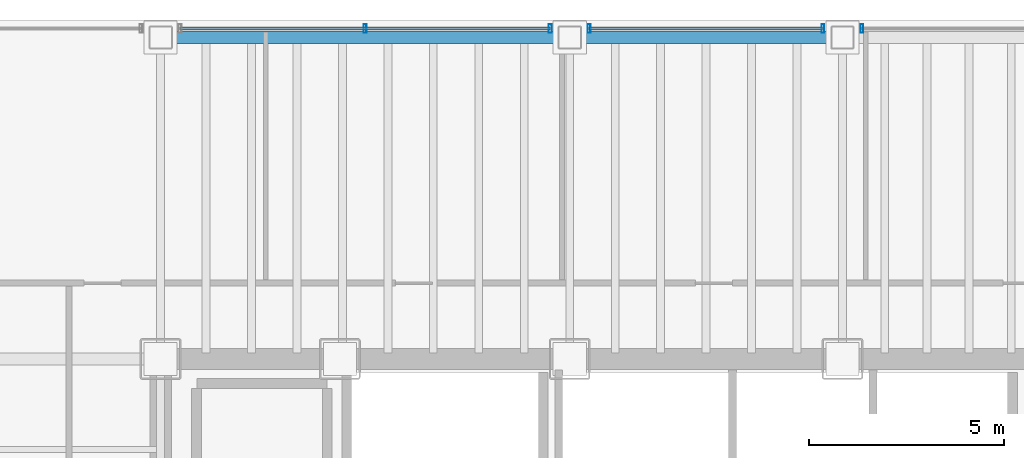
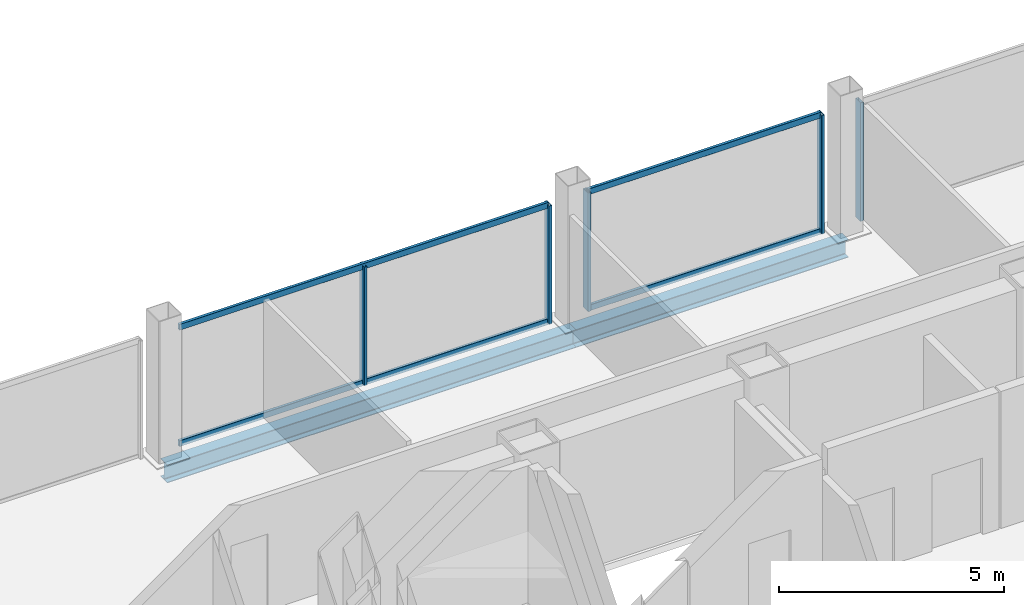
# One storey, part 15 of 21: 9 members, 2 beams, 3 elements without a shape of their own.
"""IFC4 building model written with IfcOpenShell, lengths in metres."""

import ifcopenshell
import ifcopenshell.guid

model = None  # the IFC model being written
_history = None  # IfcOwnerHistory: only IFC2X3 demands one
_inside = {}  # id of a spatial element -> (the spatial element, [elements in it])
_under = {}  # id of a project, library or spatial element -> (it, [spatial elements below it])
_declared = {}  # id of a project -> (the project, [libraries it declares])
_typed = {}  # id of a type object -> (the type object, [elements of that type])
_made_of = {}  # id of a material, layer set ... -> (it, [elements and type objects made of it])


def new_model(schema):
    """Start an empty IFC model of exactly this schema.

    Asked for "IFC4X3", IfcOpenShell would pick the latest addendum, in which some entities
    have other attributes; the version numbers below select the first issue.
    IFC2X3 requires an IfcOwnerHistory on every rooted entity: one is made here for all.
    """
    global model, _history
    if schema == "IFC4X3":
        model = ifcopenshell.file(schema_version=(4, 3, 0, 0))
    else:
        model = ifcopenshell.file(schema=schema)
    _inside.clear()
    _under.clear()
    _declared.clear()
    _typed.clear()
    _made_of.clear()
    _history = None
    if model.schema == "IFC2X3":
        org = make("IfcOrganization", Name="unknown")
        user = make(
            "IfcPersonAndOrganization",
            ThePerson=make("IfcPerson", FamilyName="unknown"),
            TheOrganization=org,
        )
        app = make(
            "IfcApplication",
            ApplicationDeveloper=org,
            Version="unknown",
            ApplicationFullName="unknown",
            ApplicationIdentifier="unknown",
        )
        _history = make(
            "IfcOwnerHistory",
            OwningUser=user,
            OwningApplication=app,
            ChangeAction="ADDED",
            CreationDate=0,
        )
    return model


def make(cls, **values):
    """One entity of the class cls with the attributes given. An attribute that is None is left unset."""
    return model.create_entity(
        cls, **{name: value for name, value in values.items() if value is not None}
    )


def rooted(cls, **values):
    """An entity with a GlobalId (a new one), such as an element, a storey or a relation."""
    return make(cls, GlobalId=ifcopenshell.guid.new(), OwnerHistory=_history, **values)


def si_unit(unit_type, name, prefix=None):
    """IfcSIUnit, for example si_unit("LENGTHUNIT", "METRE", prefix="MILLI")."""
    return make("IfcSIUnit", UnitType=unit_type, Prefix=prefix, Name=name)


def assignment(units):
    """IfcUnitAssignment: the units of a project."""
    return None if units is None else make("IfcUnitAssignment", Units=units)


def point(xyz):
    """IfcCartesianPoint."""
    return None if xyz is None else make("IfcCartesianPoint", Coordinates=xyz)


def direction(xyz):
    """IfcDirection."""
    return None if xyz is None else make("IfcDirection", DirectionRatios=xyz)


def frame(location, z_axis=None, x_axis=None):
    """IfcAxis2Placement3D, a coordinate frame: its origin and axes. An axis left out is left unset."""
    return make(
        "IfcAxis2Placement3D",
        Location=point(location),
        Axis=direction(z_axis),
        RefDirection=direction(x_axis),
    )


def frame_2d(location, x_axis=None):
    """IfcAxis2Placement2D, a coordinate frame in the plane: its origin and x axis."""
    return make(
        "IfcAxis2Placement2D", Location=point(location), RefDirection=direction(x_axis)
    )


def origin():
    """The frame at (0, 0, 0) with its axes left unset."""
    return frame((0.0, 0.0, 0.0))


def origin_2d():
    """The frame at (0, 0) in the plane with its x axis left unset."""
    return frame_2d((0.0, 0.0))


def place(relative_to, where):
    """IfcLocalPlacement: puts the frame where relative to a parent placement (None: the world)."""
    return make(
        "IfcLocalPlacement", PlacementRelTo=relative_to, RelativePlacement=where
    )


def context(
    kind, dimensions, precision=None, world=None, true_north=None, identifier=None
):
    """IfcGeometricRepresentationContext, for example the 3D "Model" context."""
    return make(
        "IfcGeometricRepresentationContext",
        ContextIdentifier=identifier,
        ContextType=kind,
        CoordinateSpaceDimension=dimensions,
        Precision=precision,
        WorldCoordinateSystem=world,
        TrueNorth=true_north,
    )


def subcontext(parent, identifier, kind, view, scale=None):
    """IfcGeometricRepresentationSubContext, for example "Body" below "Model"."""
    return make(
        "IfcGeometricRepresentationSubContext",
        ContextIdentifier=identifier,
        ContextType=kind,
        ParentContext=parent,
        TargetScale=scale,
        TargetView=view,
    )


def project(units=None, contexts=None):
    """IfcProject with its units and contexts."""
    return rooted(
        "IfcProject",
        Name="project",
        RepresentationContexts=contexts,
        UnitsInContext=assignment(units),
    )


def spatial(cls, under=None, at=None, **own):
    """A site, building, storey or space (cls), placed at a placement, below another one or the project."""
    s = rooted(cls, ObjectPlacement=at, **own)
    if under is not None:
        _under.setdefault(under.id(), (under, []))[1].append(s)
    return s


def profile(cls, at=None, kind="AREA", **sizes):
    """A parametric profile (cls). Its sizes go by their IFC names, for example OverallWidth=200.0."""
    return make(cls, ProfileType=kind, Position=at, **sizes)


def hollow_rectangle(**sizes):
    """IfcRectangleHollowProfileDef."""
    return profile("IfcRectangleHollowProfileDef", **sizes)


def i_section(**sizes):
    """IfcIShapeProfileDef."""
    return profile("IfcIShapeProfileDef", **sizes)


def extrude(swept, where, along, depth):
    """IfcExtrudedAreaSolid: the profile swept, set in the frame where, extruded along a direction by depth."""
    return make(
        "IfcExtrudedAreaSolid",
        SweptArea=swept,
        Position=where,
        ExtrudedDirection=direction(along),
        Depth=depth,
    )


def shape(context_of_items, identifier, shape_type, items):
    """IfcShapeRepresentation: the items that make up one representation, for example the "Body"."""
    return make(
        "IfcShapeRepresentation",
        ContextOfItems=context_of_items,
        RepresentationIdentifier=identifier,
        RepresentationType=shape_type,
        Items=items,
    )


def material(Name=None, Category=None):
    """IfcMaterial."""
    return make("IfcMaterial", Name=Name, Category=Category)


def material_profile(
    of_material, cross_section, Name=None, Category=None, Priority=None
):
    """IfcMaterialProfile: a cross section and its material."""
    return make(
        "IfcMaterialProfile",
        Name=Name,
        Material=of_material,
        Profile=cross_section,
        Priority=Priority,
        Category=Category,
    )


def profile_set(profiles, Name=None, composite=None):
    """IfcMaterialProfileSet."""
    return make(
        "IfcMaterialProfileSet",
        Name=Name,
        MaterialProfiles=profiles,
        CompositeProfile=composite,
    )


def made_of(thing, what):
    """Note that an element or type object is made of a material, layer set ...; save() writes the relation."""
    if what is not None:
        _made_of.setdefault(what.id(), (what, []))[1].append(thing)
    return thing


def type_object(cls, material=None, **own):
    """A type object (cls), such as IfcWallType, which elements share."""
    return made_of(rooted(cls, **own), material)


def element(
    cls,
    number,
    at=None,
    inside=None,
    cuts=None,
    type_object=None,
    material=None,
    context=None,
    identifier="Body",
    shape_type=None,
    held_by="IfcProductDefinitionShape",
    body=None,
    shapes=None,
    **own,
):
    """One element of the class cls, such as IfcWall. Its Tag is "e" and its number.

    at: its placement. inside: the storey or other place that contains it. cuts: it is an
    opening in that element (IfcRelVoidsElement). A single representation is given by context,
    identifier, shape_type and body (its items); several are given by shapes. held_by: the class
    of the entity that holds the representations. save() writes the other relations.
    """
    e = rooted(cls, Tag="e%d" % number, ObjectPlacement=at, **own)
    if body is not None:
        shapes = [shape(context, identifier, shape_type, body)]
    if shapes is not None:
        e.Representation = make(held_by, Representations=shapes)
    if inside is not None:
        _inside.setdefault(inside.id(), (inside, []))[1].append(e)
    if cuts is not None:
        rooted(
            "IfcRelVoidsElement", RelatingBuildingElement=cuts, RelatedOpeningElement=e
        )
    if type_object is not None:
        _typed.setdefault(type_object.id(), (type_object, []))[1].append(e)
    return made_of(e, material)


def aggregate(whole, parts):
    """IfcRelAggregates: a whole, such as a stair, and the parts it consists of."""
    return rooted("IfcRelAggregates", RelatingObject=whole, RelatedObjects=parts)


def save(model, path):
    """Write the relations noted so far, then the file.

    IfcRelAggregates (storeys below a building ...), IfcRelContainedInSpatialStructure (elements
    in a storey), IfcRelDefinesByType, IfcRelAssociatesMaterial and IfcRelDeclares: one each for
    every whole, place, type object, material and project.
    """
    for whole, parts in _under.values():
        aggregate(whole, parts)
    for where, things in _inside.values():
        rooted(
            "IfcRelContainedInSpatialStructure",
            RelatedElements=things,
            RelatingStructure=where,
        )
    for kind, things in _typed.values():
        rooted("IfcRelDefinesByType", RelatedObjects=things, RelatingType=kind)
    for what, things in _made_of.values():
        rooted("IfcRelAssociatesMaterial", RelatedObjects=things, RelatingMaterial=what)
    for by, libraries in _declared.values():
        rooted("IfcRelDeclares", RelatingContext=by, RelatedDefinitions=libraries)
    model.write(path)


model = new_model("IFC4")

# Units and contexts
model_context = context("Model", 3, precision=1e-05, world=origin(), true_north=direction((0.0, 1.0)))
body_context = subcontext(model_context, "Body", "Model", "MODEL_VIEW")
ifc_project = project(units=[si_unit("LENGTHUNIT", "METRE"), si_unit("AREAUNIT", "SQUARE_METRE"), si_unit("VOLUMEUNIT", "CUBIC_METRE"), si_unit("PLANEANGLEUNIT", "RADIAN"), si_unit("MASSUNIT", "GRAM", prefix="KILO")], contexts=[model_context])

# Site, building, storey
site_placement = place(None, origin())
site = spatial("IfcSite", under=ifc_project, at=site_placement, CompositionType="ELEMENT")
building_placement = place(site_placement, origin())
building = spatial("IfcBuilding", under=site, at=building_placement, Name="Noeulbin Bourse Tower", CompositionType="ELEMENT")
storey_placement = place(building_placement, frame((0.0, 0.0, 46.0)))
storey = spatial("IfcBuildingStorey", under=building, at=storey_placement, Name="L11", CompositionType="ELEMENT", Elevation=46.0)

# Beams
ifc_material_1 = material(Name="Steel S355", Category="steel")
ifc_material_profile_1 = material_profile(ifc_material_1, i_section(OverallWidth=0.300048828125, OverallDepth=0.488037109375, WebThickness=0.010986328125, FlangeThickness=0.01806640625, FilletRadius=0.02197265625, at=origin_2d()), Name="H-488x300x11x18", Category="LoadBearing")
ifc_profile_set_1 = profile_set([ifc_material_profile_1], Name="Steel S355")
beam_type = type_object("IfcBeamType", Name="BM-SPN-488", PredefinedType="SPANDREL", material=ifc_profile_set_1)
beam_1_placement = place(storey_placement, frame((13.5, 46.550048828125, -0.424072265625), z_axis=(1.0, 0.0, 0.0), x_axis=(0.0, 1.0, 0.0)))
element("IfcBeam", 1, at=beam_1_placement, inside=storey, type_object=beam_type, Name="North Spandrel L11-1", PredefinedType="SPANDREL", context=body_context, shape_type="SweptSolid", body=[
    extrude(i_section(OverallWidth=0.300048828125, OverallDepth=0.488037109375, WebThickness=0.010986328125, FlangeThickness=0.01806640625, FilletRadius=0.02197265625, at=origin_2d()), origin(), (0.0, 0.0, 1.0), 10.5),
])
beam_2_placement = place(storey_placement, frame((24.0, 46.550048828125, -0.424072265625), z_axis=(1.0, 0.0, 0.0), x_axis=(0.0, 1.0, 0.0)))
element("IfcBeam", 2, at=beam_2_placement, inside=storey, type_object=beam_type, Name="North Spandrel L11-2", PredefinedType="SPANDREL", context=body_context, shape_type="SweptSolid", body=[
    extrude(i_section(OverallWidth=0.300048828125, OverallDepth=0.488037109375, WebThickness=0.010986328125, FlangeThickness=0.01806640625, FilletRadius=0.02197265625, at=origin_2d()), origin(), (0.0, 0.0, 1.0), 7.0),
])

# Curtain wall, members
ifc_material_2 = material(Name="Dark Solar-Control Double Glazing", Category="glass")
curtain_wall_type = type_object("IfcCurtainWallType", Name="CW-SYS-2", PredefinedType="NOTDEFINED", material=ifc_material_2)
curtain_wall_1_placement = place(storey_placement, origin())
curtain_wall_1 = element("IfcCurtainWall", 3, at=curtain_wall_1_placement, inside=storey, type_object=curtain_wall_type, Name="Unitised Curtain Wall CW-L11-N-S2", PredefinedType="NOTDEFINED")
ifc_material_3 = material(Name="Anodised Aluminium 6063-T6", Category="aluminium")
ifc_material_profile_2 = material_profile(ifc_material_3, hollow_rectangle(XDim=0.074951171875, YDim=0.219970703125, WallThickness=0.0048828125, InnerFilletRadius=0.00244140625, OuterFilletRadius=0.0048828125, at=origin_2d()), Name="ALU-MULL-75x220x5", Category="LoadBearing")
ifc_profile_set_2 = profile_set([ifc_material_profile_2], Name="Anodised Aluminium 6063-T6")
member_type_1 = type_object("IfcMemberType", Name="CW-SYS-2-MUL", PredefinedType="MULLION", material=ifc_profile_set_2)
member_1_placement = place(storey_placement, frame((18.75, 46.780029296875, -0.02001953125), z_axis=(0.0, 0.0, 1.0), x_axis=(1.0, 0.0, 0.0)))
member_1 = element("IfcMember", 4, at=member_1_placement, type_object=member_type_1, Name="Curtain Wall Mullion CW-L11-N-S2-M01", PredefinedType="MULLION", context=body_context, shape_type="SweptSolid", body=[
    extrude(hollow_rectangle(XDim=0.074951171875, YDim=0.219970703125, WallThickness=0.0048828125, InnerFilletRadius=0.00244140625, OuterFilletRadius=0.0048828125, at=origin_2d()), origin(), (0.0, 0.0, 1.0), 3.219970703125),
])
member_2_placement = place(storey_placement, frame((23.5, 46.780029296875, -0.02001953125), z_axis=(0.0, 0.0, 1.0), x_axis=(1.0, 0.0, 0.0)))
member_2 = element("IfcMember", 5, at=member_2_placement, type_object=member_type_1, Name="Curtain Wall Mullion CW-L11-N-S2-M02", PredefinedType="MULLION", context=body_context, shape_type="SweptSolid", body=[
    extrude(hollow_rectangle(XDim=0.074951171875, YDim=0.219970703125, WallThickness=0.0048828125, InnerFilletRadius=0.00244140625, OuterFilletRadius=0.0048828125, at=origin_2d()), origin(), (0.0, 0.0, 1.0), 3.219970703125),
])

curtain_wall_2_placement = place(storey_placement, origin())
curtain_wall_2 = element("IfcCurtainWall", 6, at=curtain_wall_2_placement, inside=storey, type_object=curtain_wall_type, Name="Unitised Curtain Wall CW-L11-N-S3", PredefinedType="NOTDEFINED")
member_3_placement = place(storey_placement, frame((24.5, 46.780029296875, -0.02001953125), z_axis=(0.0, 0.0, 1.0), x_axis=(1.0, 0.0, 0.0)))
member_3 = element("IfcMember", 7, at=member_3_placement, type_object=member_type_1, Name="Curtain Wall Mullion CW-L11-N-S3-M00", PredefinedType="MULLION", context=body_context, shape_type="SweptSolid", body=[
    extrude(hollow_rectangle(XDim=0.074951171875, YDim=0.219970703125, WallThickness=0.0048828125, InnerFilletRadius=0.00244140625, OuterFilletRadius=0.0048828125, at=origin_2d()), origin(), (0.0, 0.0, 1.0), 3.219970703125),
])
member_4_placement = place(storey_placement, frame((30.5, 46.780029296875, -0.02001953125), z_axis=(0.0, 0.0, 1.0), x_axis=(1.0, 0.0, 0.0)))
member_4 = element("IfcMember", 8, at=member_4_placement, type_object=member_type_1, Name="Curtain Wall Mullion CW-L11-N-S3-M01", PredefinedType="MULLION", context=body_context, shape_type="SweptSolid", body=[
    extrude(hollow_rectangle(XDim=0.074951171875, YDim=0.219970703125, WallThickness=0.0048828125, InnerFilletRadius=0.00244140625, OuterFilletRadius=0.0048828125, at=origin_2d()), origin(), (0.0, 0.0, 1.0), 3.219970703125),
])

# Curtain wall, member
curtain_wall_3_placement = place(storey_placement, origin())
curtain_wall_3 = element("IfcCurtainWall", 9, at=curtain_wall_3_placement, inside=storey, type_object=curtain_wall_type, Name="Unitised Curtain Wall CW-L11-N-S4", PredefinedType="NOTDEFINED")
member_5_placement = place(storey_placement, frame((31.5, 46.780029296875, -0.02001953125), z_axis=(0.0, 0.0, 1.0), x_axis=(1.0, 0.0, 0.0)))
member_5 = element("IfcMember", 10, at=member_5_placement, type_object=member_type_1, Name="Curtain Wall Mullion CW-L11-N-S4-M00", PredefinedType="MULLION", context=body_context, shape_type="SweptSolid", body=[
    extrude(hollow_rectangle(XDim=0.074951171875, YDim=0.219970703125, WallThickness=0.0048828125, InnerFilletRadius=0.00244140625, OuterFilletRadius=0.0048828125, at=origin_2d()), origin(), (0.0, 0.0, 1.0), 3.219970703125),
])
aggregate(curtain_wall_3, [member_5])

# Member
ifc_material_profile_3 = material_profile(ifc_material_3, hollow_rectangle(XDim=0.074951171875, YDim=0.159912109375, WallThickness=0.0048828125, InnerFilletRadius=0.00244140625, OuterFilletRadius=0.0048828125, at=origin_2d()), Name="ALU-TRAN-75x160x5", Category="LoadBearing")
ifc_profile_set_3 = profile_set([ifc_material_profile_3], Name="Anodised Aluminium 6063-T6")
member_type_2 = type_object("IfcMemberType", Name="CW-SYS-2-TRN", PredefinedType="USERDEFINED", material=ifc_profile_set_3)
member_6_placement = place(storey_placement, frame((14.010009765625, 46.780029296875, 0.010009765625), z_axis=(1.0, 0.0, 0.0), x_axis=(0.0, 1.0, 0.0)))
member_6 = element("IfcMember", 11, at=member_6_placement, type_object=member_type_2, Name="Curtain Wall Transom CW-L11-N-S2-T00", ObjectType="TRANSOM", PredefinedType="USERDEFINED", context=body_context, shape_type="SweptSolid", body=[
    extrude(hollow_rectangle(XDim=0.074951171875, YDim=0.159912109375, WallThickness=0.0048828125, InnerFilletRadius=0.00244140625, OuterFilletRadius=0.0048828125, at=origin_2d()), origin(), (0.0, 0.0, 1.0), 9.47998046875),
])

member_7_placement = place(storey_placement, frame((14.010009765625, 46.780029296875, 3.169921875), z_axis=(1.0, 0.0, 0.0), x_axis=(0.0, 1.0, 0.0)))
member_7 = element("IfcMember", 12, at=member_7_placement, type_object=member_type_2, Name="Curtain Wall Transom CW-L11-N-S2-T01", ObjectType="TRANSOM", PredefinedType="USERDEFINED", context=body_context, shape_type="SweptSolid", body=[
    extrude(hollow_rectangle(XDim=0.074951171875, YDim=0.159912109375, WallThickness=0.0048828125, InnerFilletRadius=0.00244140625, OuterFilletRadius=0.0048828125, at=origin_2d()), origin(), (0.0, 0.0, 1.0), 9.47998046875),
])

aggregate(curtain_wall_1, [member_1, member_2, member_6, member_7])

member_8_placement = place(storey_placement, frame((24.510009765625, 46.780029296875, 0.010009765625), z_axis=(1.0, 0.0, 0.0), x_axis=(0.0, 1.0, 0.0)))
member_8 = element("IfcMember", 13, at=member_8_placement, type_object=member_type_2, Name="Curtain Wall Transom CW-L11-N-S3-T00", ObjectType="TRANSOM", PredefinedType="USERDEFINED", context=body_context, shape_type="SweptSolid", body=[
    extrude(hollow_rectangle(XDim=0.074951171875, YDim=0.159912109375, WallThickness=0.0048828125, InnerFilletRadius=0.00244140625, OuterFilletRadius=0.0048828125, at=origin_2d()), origin(), (0.0, 0.0, 1.0), 5.97998046875),
])

member_9_placement = place(storey_placement, frame((24.510009765625, 46.780029296875, 3.169921875), z_axis=(1.0, 0.0, 0.0), x_axis=(0.0, 1.0, 0.0)))
member_9 = element("IfcMember", 14, at=member_9_placement, type_object=member_type_2, Name="Curtain Wall Transom CW-L11-N-S3-T01", ObjectType="TRANSOM", PredefinedType="USERDEFINED", context=body_context, shape_type="SweptSolid", body=[
    extrude(hollow_rectangle(XDim=0.074951171875, YDim=0.159912109375, WallThickness=0.0048828125, InnerFilletRadius=0.00244140625, OuterFilletRadius=0.0048828125, at=origin_2d()), origin(), (0.0, 0.0, 1.0), 5.97998046875),
])

aggregate(curtain_wall_2, [member_3, member_4, member_8, member_9])

save(model, "model.ifc")
